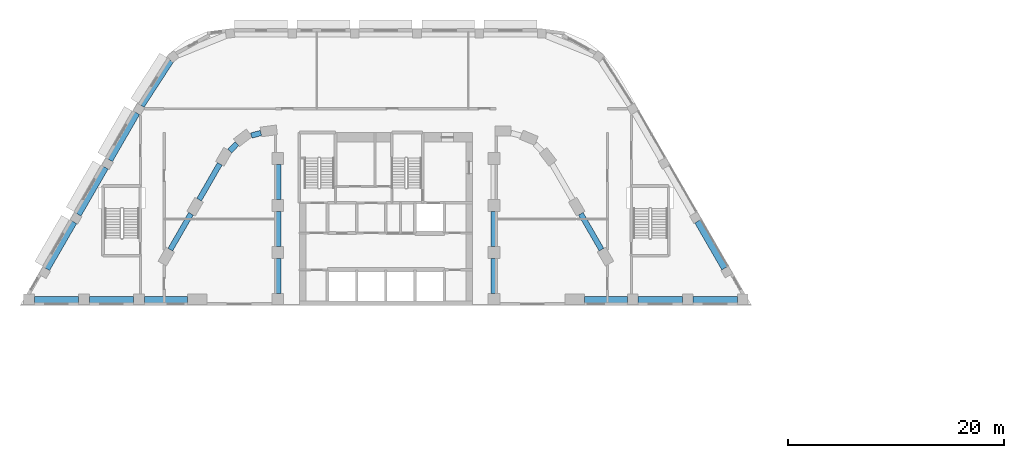
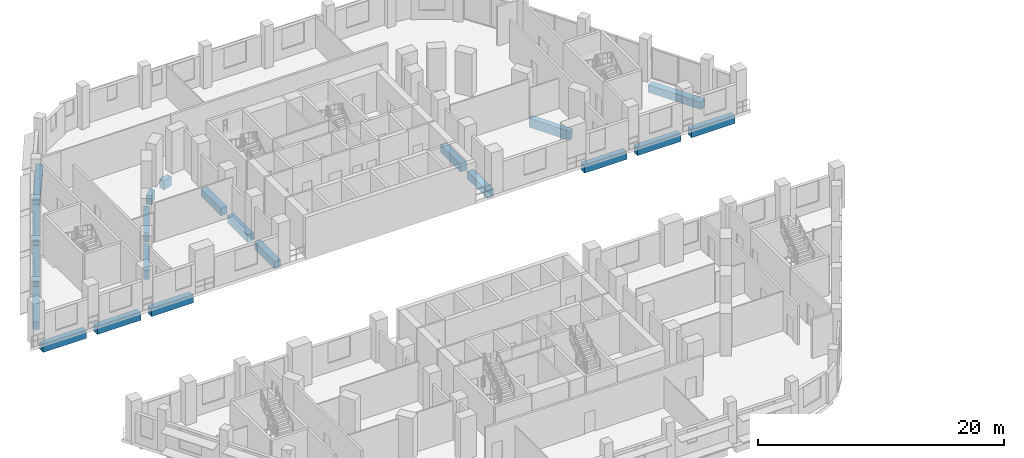
# One storey, part 3 of 33: 21 beams.
"""IFC4 building model written with IfcOpenShell, lengths in metres."""

from ifc_helpers import new_model, si_unit, direction, frame, origin, origin_2d, place, context, subcontext, project, spatial, rectangle, extrude, material, material_profile, profile_set, type_object, element, save


model = new_model("IFC4")

# Units and contexts
model_context = context("Model", 3, precision=1e-05, world=origin(), true_north=direction((0.0, 1.0)))
body_context = subcontext(model_context, "Body", "Model", "MODEL_VIEW")
ifc_project = project(units=[si_unit("LENGTHUNIT", "METRE"), si_unit("AREAUNIT", "SQUARE_METRE"), si_unit("VOLUMEUNIT", "CUBIC_METRE"), si_unit("PLANEANGLEUNIT", "RADIAN"), si_unit("MASSUNIT", "GRAM", prefix="KILO")], contexts=[model_context])

# Site, building, storey
site_placement = place(None, origin())
site = spatial("IfcSite", under=ifc_project, at=site_placement, CompositionType="ELEMENT")
building_placement = place(site_placement, origin())
building = spatial("IfcBuilding", under=site, at=building_placement, Name="Nakaniwa Court", CompositionType="ELEMENT")
storey_placement = place(building_placement, frame((0.0, 0.0, 19.800048828125)))
storey = spatial("IfcBuildingStorey", under=building, at=storey_placement, Name="L04", CompositionType="ELEMENT", Elevation=19.800048828125)

# Beams
ifc_material = material(Name="Concrete C100/115", Category="concrete")
ifc_material_profile_1 = material_profile(ifc_material, rectangle(XDim=0.5, YDim=0.89990234375, at=origin_2d()), Name="Concrete C100/115 RC 500x900 spandrel beam")
ifc_profile_set_1 = profile_set([ifc_material_profile_1], Name="Concrete C100/115")
beam_type_1 = type_object("IfcBeamType", Name="Concrete C100/115 RC 500x900 spandrel beam", PredefinedType="BEAM", material=ifc_profile_set_1)
beam_1_placement = place(storey_placement, frame((68.444580078125, 103.35546875, -0.75), z_axis=(-0.966287893493, -0.25746399144, 0.0), x_axis=(0.25746399144, -0.966287893493, 0.0)))
element("IfcBeam", 1, at=beam_1_placement, inside=storey, type_object=beam_type_1, Name="SPANDREL BEAM", PredefinedType="BEAM", context=body_context, shape_type="SweptSolid", body=[
    extrude(rectangle(XDim=0.5, YDim=0.89990234375, at=origin_2d()), origin(), (0.0, 0.0, 1.0), 0.91796875),
])
beam_2_placement = place(storey_placement, frame((66.238525390625, 102.374267578125, -0.75), z_axis=(-0.706081618928, -0.708130459317, 0.0), x_axis=(0.708130459317, -0.706081618928, 0.0)))
element("IfcBeam", 2, at=beam_2_placement, inside=storey, type_object=beam_type_1, Name="SPANDREL BEAM", PredefinedType="BEAM", context=body_context, shape_type="SweptSolid", body=[
    extrude(rectangle(XDim=0.5, YDim=0.89990234375, at=origin_2d()), origin(), (0.0, 0.0, 1.0), 0.953369140625),
])
beam_3_placement = place(storey_placement, frame((64.642578125, 100.5, -0.75), z_axis=(-0.500009674092, -0.866019818373, 0.0), x_axis=(0.866019818373, -0.500009674092, 0.0)))
element("IfcBeam", 3, at=beam_3_placement, inside=storey, type_object=beam_type_1, Name="SPANDREL BEAM", PredefinedType="BEAM", context=body_context, shape_type="SweptSolid", body=[
    extrude(rectangle(XDim=0.5, YDim=0.89990234375, at=origin_2d()), origin(), (0.0, 0.0, 1.0), 3.826171875),
])
for number, where, z_axis, x_axis, name in (
    (4, (61.9794921875, 95.8876953125, -0.75), (-0.499961815444, -0.866047448526, 0.0), (0.866047448526, -0.499961815444, 0.0), "SPANDREL BEAM"),
    (5, (99.933349609375, 92.57421875, -0.75), (-0.499961815444, 0.866047448526, 0.0), (-0.866047448526, -0.499961815444, 0.0), "SPANDREL BEAM"),
):
    element("IfcBeam", number, at=place(storey_placement, frame(where, z_axis=z_axis, x_axis=x_axis)), inside=storey, type_object=beam_type_1, Name=name, PredefinedType="BEAM", context=body_context, shape_type="SweptSolid", body=[
        extrude(rectangle(XDim=0.5, YDim=0.89990234375, at=origin_2d()), origin(), (0.0, 0.0, 1.0), 3.825927734375),
    ])
ifc_material_profile_2 = material_profile(ifc_material, rectangle(XDim=0.60009765625, YDim=0.75, at=origin_2d()), Name="Concrete C100/115 RC 600x750 ring beam")
ifc_profile_set_2 = profile_set([ifc_material_profile_2], Name="Concrete C100/115")
beam_type_2 = type_object("IfcBeamType", Name="Concrete C100/115 RC 600x750 ring beam", PredefinedType="BEAM", material=ifc_profile_set_2)
for number, where, z_axis, x_axis, name in (
    (6, (90.0, 88.5, -0.675048828125), (0.0, 1.0, 0.0), (-1.0, 0.0, 0.0), "RING BEAM"),
    (7, (90.0, 92.85009765625, -0.675048828125), (0.0, 1.0, 0.0), (-1.0, 0.0, 0.0), "RING BEAM"),
    (8, (70.0, 100.449951171875, -0.675048828125), (0.0, -1.0, 0.0), (1.0, 0.0, 0.0), "RING BEAM"),
    (9, (70.0, 96.10009765625, -0.675048828125), (0.0, -1.0, 0.0), (1.0, 0.0, 0.0), "RING BEAM"),
    (10, (70.0, 91.75, -0.675048828125), (0.0, -1.0, 0.0), (1.0, 0.0, 0.0), "RING BEAM"),
):
    element("IfcBeam", number, at=place(storey_placement, frame(where, z_axis=z_axis, x_axis=x_axis)), inside=storey, type_object=beam_type_2, Name=name, PredefinedType="BEAM", context=body_context, shape_type="SweptSolid", body=[
        extrude(rectangle(XDim=0.60009765625, YDim=0.75, at=origin_2d()), origin(), (0.0, 0.0, 1.0), 3.25),
    ])
beam_4_placement = place(storey_placement, frame((60.096435546875, 110.05517578125, -0.675048828125), z_axis=(-0.545297150408, -0.838242815512, 0.0), x_axis=(0.838242815512, -0.545297150408, 0.0)))
element("IfcBeam", 11, at=beam_4_placement, inside=storey, type_object=beam_type_2, Name="RING BEAM", PredefinedType="BEAM", context=body_context, shape_type="SweptSolid", body=[
    extrude(rectangle(XDim=0.60009765625, YDim=0.75, at=origin_2d()), origin(), (0.0, 0.0, 1.0), 4.9736328125),
])
for number, where, z_axis, x_axis, name in (
    (12, (56.9658203125, 105.20361328125, -0.675048828125), (-0.499980823911, -0.866036474822, 0.0), (0.866036474822, -0.499980823911, 0.0), "RING BEAM"),
    (13, (54.057373046875, 100.166259765625, -0.675048828125), (-0.499980823911, -0.866036474822, 0.0), (0.866036474822, -0.499980823911, 0.0), "RING BEAM"),
    (14, (51.149169921875, 95.12890625, -0.675048828125), (-0.500017322015, -0.866015402684, 0.0), (0.866015402684, -0.500017322015, 0.0), "RING BEAM"),
):
    element("IfcBeam", number, at=place(storey_placement, frame(where, z_axis=z_axis, x_axis=x_axis)), inside=storey, type_object=beam_type_2, Name=name, PredefinedType="BEAM", context=body_context, shape_type="SweptSolid", body=[
        extrude(rectangle(XDim=0.60009765625, YDim=0.75, at=origin_2d()), origin(), (0.0, 0.0, 1.0), 5.016845703125),
    ])
beam_5_placement = place(storey_placement, frame((111.322998046875, 90.8466796875, -0.675048828125), z_axis=(-0.499960447986, 0.866048237946, 0.0), x_axis=(-0.866048237946, -0.499960447986, 0.0)))
element("IfcBeam", 15, at=beam_5_placement, inside=storey, type_object=beam_type_2, Name="RING BEAM", PredefinedType="BEAM", context=body_context, shape_type="SweptSolid", body=[
    extrude(rectangle(XDim=0.60009765625, YDim=0.75, at=origin_2d()), origin(), (0.0, 0.0, 1.0), 5.00244140625),
])
beam_6_placement = place(storey_placement, frame((47.50390625, 87.949951171875, -0.675048828125), z_axis=(1.0, 0.0, 0.0), x_axis=(0.0, 1.0, 0.0)))
element("IfcBeam", 16, at=beam_6_placement, inside=storey, type_object=beam_type_2, Name="RING BEAM", PredefinedType="BEAM", context=body_context, shape_type="SweptSolid", body=[
    extrude(rectangle(XDim=0.60009765625, YDim=0.75, at=origin_2d()), origin(), (0.0, 0.0, 1.0), 4.087158203125),
])
beam_7_placement = place(storey_placement, frame((52.591064453125, 87.949951171875, -0.675048828125), z_axis=(1.0, 0.0, 0.0), x_axis=(0.0, 1.0, 0.0)))
element("IfcBeam", 17, at=beam_7_placement, inside=storey, type_object=beam_type_2, Name="RING BEAM", PredefinedType="BEAM", context=body_context, shape_type="SweptSolid", body=[
    extrude(rectangle(XDim=0.60009765625, YDim=0.75, at=origin_2d()), origin(), (0.0, 0.0, 1.0), 4.0859375),
])
for number, where, z_axis, x_axis, name in (
    (18, (57.677001953125, 87.949951171875, -0.675048828125), (1.0, 0.0, 0.0), (0.0, 1.0, 0.0), "RING BEAM"),
    (19, (98.35791015625, 87.949951171875, -0.675048828125), (1.0, 0.0, 0.0), (0.0, 1.0, 0.0), "RING BEAM"),
):
    element("IfcBeam", number, at=place(storey_placement, frame(where, z_axis=z_axis, x_axis=x_axis)), inside=storey, type_object=beam_type_2, Name=name, PredefinedType="BEAM", context=body_context, shape_type="SweptSolid", body=[
        extrude(rectangle(XDim=0.60009765625, YDim=0.75, at=origin_2d()), origin(), (0.0, 0.0, 1.0), 3.965087890625),
    ])
beam_8_placement = place(storey_placement, frame((103.322998046875, 87.949951171875, -0.675048828125), z_axis=(1.0, 0.0, 0.0), x_axis=(0.0, 1.0, 0.0)))
element("IfcBeam", 20, at=beam_8_placement, inside=storey, type_object=beam_type_2, Name="RING BEAM", PredefinedType="BEAM", context=body_context, shape_type="SweptSolid", body=[
    extrude(rectangle(XDim=0.60009765625, YDim=0.75, at=origin_2d()), origin(), (0.0, 0.0, 1.0), 4.0859375),
])
beam_9_placement = place(storey_placement, frame((108.408935546875, 87.949951171875, -0.675048828125), z_axis=(1.0, 0.0, 0.0), x_axis=(0.0, 1.0, 0.0)))
element("IfcBeam", 21, at=beam_9_placement, inside=storey, type_object=beam_type_2, Name="RING BEAM", PredefinedType="BEAM", context=body_context, shape_type="SweptSolid", body=[
    extrude(rectangle(XDim=0.60009765625, YDim=0.75, at=origin_2d()), origin(), (0.0, 0.0, 1.0), 4.087158203125),
])

save(model, "model.ifc")
